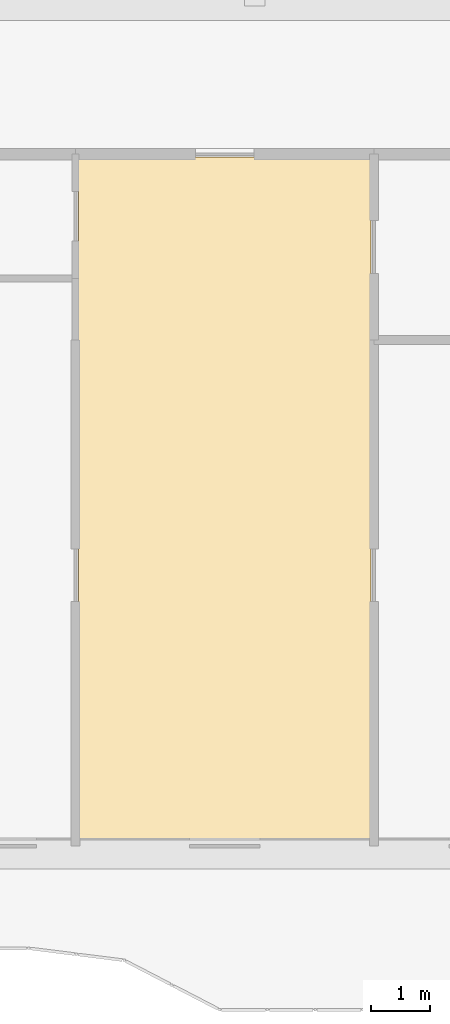
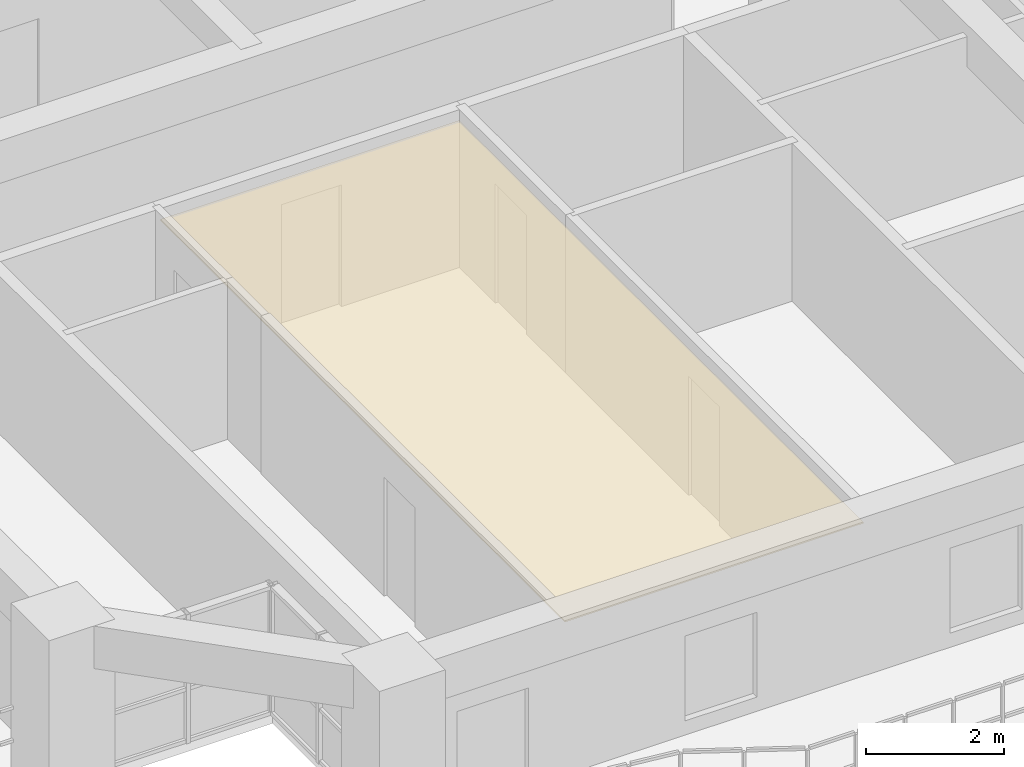
# One storey, part 22 of 27: 1 covering.
"""IFC4 building model written with IfcOpenShell, lengths in metres."""

from ifc_helpers import new_model, si_unit, direction, frame, origin, place, context, subcontext, project, spatial, polyline, outline, extrude, material, layer, layer_set, type_object, element, save


model = new_model("IFC4")

# Units and contexts
model_context = context("Model", 3, precision=1e-05, world=origin(), true_north=direction((0.0, 1.0)))
body_context = subcontext(model_context, "Body", "Model", "MODEL_VIEW")
ifc_project = project(units=[si_unit("LENGTHUNIT", "METRE"), si_unit("AREAUNIT", "SQUARE_METRE"), si_unit("VOLUMEUNIT", "CUBIC_METRE"), si_unit("PLANEANGLEUNIT", "RADIAN"), si_unit("MASSUNIT", "GRAM", prefix="KILO")], contexts=[model_context])

# Site, building, storey
site_placement = place(None, origin())
site = spatial("IfcSite", under=ifc_project, at=site_placement, CompositionType="ELEMENT")
building_placement = place(site_placement, origin())
building = spatial("IfcBuilding", under=site, at=building_placement, Name="Saelheon Loggia Tower", CompositionType="ELEMENT")
storey_placement = place(building_placement, frame((0.0, 0.0, 34.39990234375)))
storey = spatial("IfcBuildingStorey", under=building, at=storey_placement, Name="L10", CompositionType="ELEMENT", Elevation=34.39990234375)

# Covering
ifc_material = material(Name="Mineral-Fibre Acoustic Ceiling Board", Category="gypsum")
ifc_layer = layer(ifc_material, 0.02490234375)
ifc_layer_set = layer_set([ifc_layer], Name="Mineral-Fibre Acoustic Ceiling Board")
covering_type = type_object("IfcCoveringType", Name="Cov_Ceiling_Acoustic", PredefinedType="CEILING", material=ifc_layer_set)
covering_placement = place(storey_placement, frame((0.0, 0.0, 2.53515625)))
element("IfcCovering", 1, at=covering_placement, inside=storey, type_object=covering_type, Name="L10 Acoustic Suspended Ceiling", PredefinedType="CEILING", context=body_context, shape_type="SweptSolid", body=[
    extrude(outline(polyline([(18.47998046875, 3.199951171875), (23.470458984375, 3.199951171875), (23.470458984375, 14.89990234375), (18.47998046875, 14.89990234375), (18.47998046875, 3.199951171875)])), origin(), (0.0, 0.0, 1.0), 0.02490234375),
])

save(model, "model.ifc")
